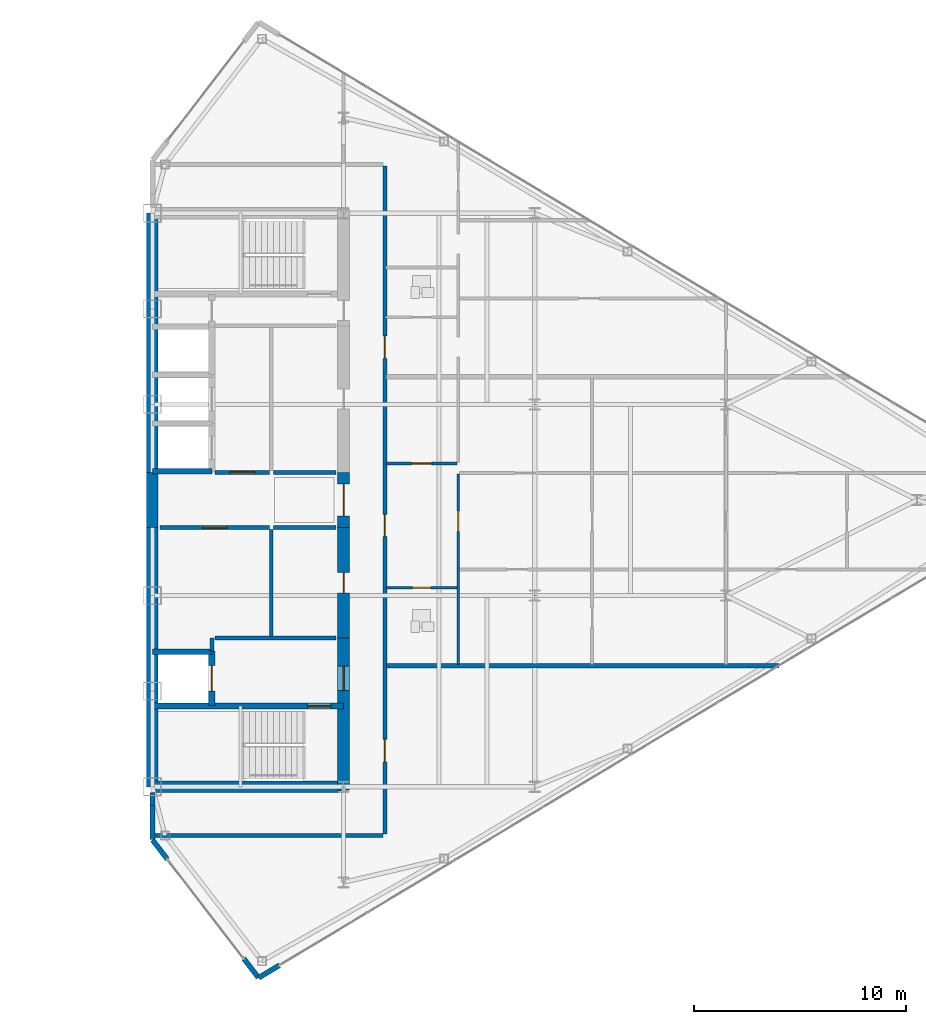
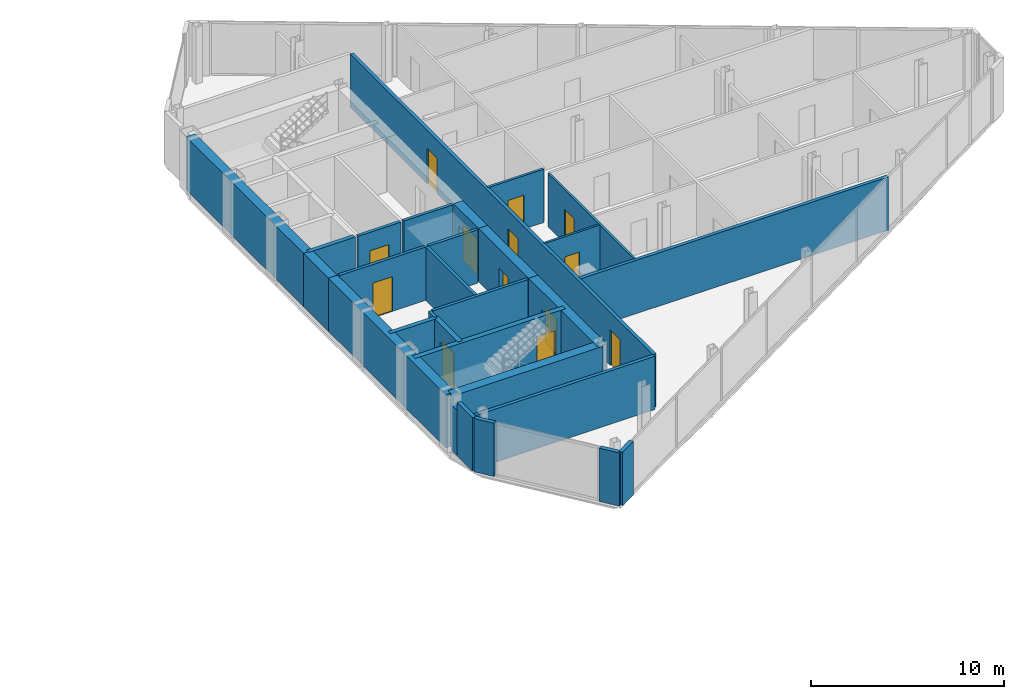
# One storey, part 21 of 26: 29 walls, 13 doors, 13 openings.
"""IFC4 building model written with IfcOpenShell, lengths in metres."""

from ifc_helpers import new_model, si_unit, direction, frame, frame_2d, origin, place, context, subcontext, project, spatial, rectangle, extrude, source, transform, mapped, material, layer, layer_set, type_object, type_shapes, element, fill, save


model = new_model("IFC4")

# Units and contexts
model_context = context("Model", 3, precision=1e-05, world=origin(), true_north=direction((0.0, 1.0)))
body_context = subcontext(model_context, "Body", "Model", "MODEL_VIEW")
ifc_project = project(units=[si_unit("LENGTHUNIT", "METRE"), si_unit("AREAUNIT", "SQUARE_METRE"), si_unit("VOLUMEUNIT", "CUBIC_METRE"), si_unit("PLANEANGLEUNIT", "RADIAN"), si_unit("MASSUNIT", "GRAM", prefix="KILO")], contexts=[model_context])

# Site, building, storey
site_placement = place(None, origin())
site = spatial("IfcSite", under=ifc_project, at=site_placement, CompositionType="ELEMENT")
building_placement = place(site_placement, origin())
building = spatial("IfcBuilding", under=site, at=building_placement, Name="Seokmaru Belvedere", CompositionType="ELEMENT")
storey_placement = place(building_placement, frame((0.0, 0.0, 199.5)))
storey = spatial("IfcBuildingStorey", under=building, at=storey_placement, Name="L53", CompositionType="ELEMENT", Elevation=199.5)

# Wall, opening, door
ifc_material_1 = material(Name="Fire-Rated Gypsum Shaftwall")
ifc_layer_1 = layer(ifc_material_1, 0.14990234375)
ifc_layer_set_1 = layer_set([ifc_layer_1], Name="Fire-Rated Gypsum Shaftwall")
wall_type_1 = type_object("IfcWallType", Name="Apartment Fire-Acoustic Room Partition 150", PredefinedType="PARTITIONING", material=ifc_layer_set_1)
wall_1_placement = place(storey_placement, frame((38.5, 1.719970703125, 0.0), z_axis=(0.0, 0.0, 1.0), x_axis=(1.0, 0.0, 0.0)))
wall_1 = element("IfcWall", 1, at=wall_1_placement, inside=storey, type_object=wall_type_1, Name="L53 Interior Partition 013", PredefinedType="PARTITIONING", context=body_context, shape_type="SweptSolid", body=[
    extrude(rectangle(XDim=3.35009765625, YDim=0.14990234375, at=frame_2d((1.675048828125, 0.0))), origin(), (0.0, 0.0, 1.0), 3.3798828125),
])
opening_1_placement = place(wall_1_placement, frame((1.199951171875, 0.0, 0.0)))
opening_1 = element("IfcOpeningElement", 2, at=opening_1_placement, cuts=wall_1, Name="Opening D05", PredefinedType="OPENING", context=body_context, shape_type="SweptSolid", body=[
    extrude(rectangle(XDim=0.949951171875, YDim=2.14990234375, at=frame_2d((0.47509765625, 1.074951171875))), frame((0.0, 0.0849609375, 0.0), z_axis=(0.0, -1.0, 0.0), x_axis=(1.0, 0.0, 0.0)), (0.0, 0.0, 1.0), 0.169921875),
])
ifc_material_2 = material(Name="Engineered White Oak Timber", Category="wood")
door_type_1 = type_object("IfcDoorType", Name="Apartment Interior Fire-Rated Oak Door 950x2150", OperationType="NOTDEFINED", PredefinedType="DOOR", material=ifc_material_2)
shared_shape_1 = source(origin(), body_context, "Body", "SweptSolid", [
    extrude(rectangle(XDim=0.949951171875, YDim=2.14990234375, at=frame_2d((0.47509765625, 1.074951171875))), frame((0.0, 0.02490234375, 0.0), z_axis=(0.0, -1.0, 0.0), x_axis=(1.0, 0.0, 0.0)), (0.0, 0.0, 1.0), 0.050048828125),
])
type_shapes(door_type_1, [shared_shape_1])
door_1_placement = place(opening_1_placement, origin())
door_1 = element("IfcDoor", 3, at=door_1_placement, inside=storey, type_object=door_type_1, Name="L53 Interior Door 021", OperationType="SINGLE_SWING_RIGHT", OverallHeight=2.14990234375, OverallWidth=0.949951171875, PredefinedType="DOOR", context=body_context, shape_type="MappedRepresentation", body=[
    mapped(shared_shape_1, transform((0.0, 0.0, 0.0), scale=1.0)),
])
fill(opening_1, door_1)

# Walls
ifc_layer_2 = layer(ifc_material_1, 0.179931640625)
ifc_layer_set_2 = layer_set([ifc_layer_2], Name="Fire-Rated Gypsum Shaftwall")
wall_type_2 = type_object("IfcWallType", Name="Core Service Fire Partition 180", PredefinedType="PARTITIONING", material=ifc_layer_set_2)
wall_2_placement = place(storey_placement, frame((30.449951171875, -6.5, 0.0), z_axis=(0.0, 0.0, 1.0), x_axis=(1.0, 0.0, 0.0)))
element("IfcWall", 4, at=wall_2_placement, inside=storey, type_object=wall_type_2, Name="L53 East Firefighting Lobby Partition", PredefinedType="PARTITIONING", context=body_context, shape_type="SweptSolid", body=[
    extrude(rectangle(XDim=5.699951171875, YDim=0.179931640625, at=frame_2d((2.85009765625, 0.0))), origin(), (0.0, 0.0, 1.0), 3.3798828125),
])
wall_3_placement = place(storey_placement, frame((30.300048828125, -7.1201171875, 0.0), z_axis=(0.0, 0.0, 1.0), x_axis=(0.0, 1.0, 0.0)))
element("IfcWall", 5, at=wall_3_placement, inside=storey, type_object=wall_type_2, Name="L53 East Firefighting Lobby East Closure Wall", PredefinedType="PARTITIONING", context=body_context, shape_type="SweptSolid", body=[
    extrude(rectangle(XDim=0.6201171875, YDim=0.179931640625, at=frame_2d((0.31005859375, 0.0))), origin(), (0.0, 0.0, 1.0), 3.3798828125),
])
wall_4_placement = place(storey_placement, frame((33.10009765625, -6.419921875, 0.0), z_axis=(0.0, 0.0, 1.0), x_axis=(0.0, 1.0, 0.0)))
element("IfcWall", 6, at=wall_4_placement, inside=storey, type_object=wall_type_2, Name="L53 East South Core Service Back Wall", PredefinedType="PARTITIONING", context=body_context, shape_type="SweptSolid", body=[
    extrude(rectangle(XDim=5.0400390625, YDim=0.179931640625, at=frame_2d((2.52001953125, 0.0))), origin(), (0.0, 0.0, 1.0), 3.3798828125),
])

# Wall, opening, door
wall_5_placement = place(storey_placement, frame((27.85009765625, -1.300048828125, 0.0), z_axis=(0.0, 0.0, 1.0), x_axis=(1.0, 0.0, 0.0)))
wall_5 = element("IfcWall", 7, at=wall_5_placement, inside=storey, type_object=wall_type_2, Name="L53 East South Lift Lobby Foyer Wall", PredefinedType="PARTITIONING", context=body_context, shape_type="SweptSolid", body=[
    extrude(rectangle(XDim=5.169921875, YDim=0.179931640625, at=frame_2d((2.5849609375, 0.0))), origin(), (0.0, 0.0, 1.0), 3.3798828125),
])
opening_2_placement = place(wall_5_placement, frame((2.010009765625, 0.0, 0.0)))
opening_2 = element("IfcOpeningElement", 8, at=opening_2_placement, cuts=wall_5, Name="Opening D02", PredefinedType="OPENING", context=body_context, shape_type="SweptSolid", body=[
    extrude(rectangle(XDim=1.14990234375, YDim=2.199951171875, at=frame_2d((0.574951171875, 1.10009765625))), frame((0.0, 0.10009765625, 0.0), z_axis=(0.0, -1.0, 0.0), x_axis=(1.0, 0.0, 0.0)), (0.0, 0.0, 1.0), 0.199951171875),
])
ifc_material_3 = material(Name="Fire-Rated Steel Leaf", Category="steel")
door_type_2 = type_object("IfcDoorType", Name="Lobby and Vestibule Fire Door 1150x2200", OperationType="NOTDEFINED", PredefinedType="DOOR", material=ifc_material_3)
shared_shape_2 = source(origin(), body_context, "Body", "SweptSolid", [
    extrude(rectangle(XDim=1.14990234375, YDim=2.199951171875, at=frame_2d((0.574951171875, 1.10009765625))), frame((0.0, 0.02490234375, 0.0), z_axis=(0.0, -1.0, 0.0), x_axis=(1.0, 0.0, 0.0)), (0.0, 0.0, 1.0), 0.050048828125),
])
type_shapes(door_type_2, [shared_shape_2])
door_2_placement = place(opening_2_placement, origin())
door_2 = element("IfcDoor", 9, at=door_2_placement, inside=storey, type_object=door_type_2, Name="L53 East South Core Foyer Door", OperationType="SINGLE_SWING_RIGHT", OverallHeight=2.199951171875, OverallWidth=1.14990234375, PredefinedType="DOOR", context=body_context, shape_type="MappedRepresentation", body=[
    mapped(shared_shape_2, transform((0.0, 0.0, 0.0), scale=1.0)),
])
fill(opening_2, door_2)

wall_6_placement = place(storey_placement, frame((30.449951171875, 1.300048828125, 0.0), z_axis=(0.0, 0.0, 1.0), x_axis=(1.0, 0.0, 0.0)))
wall_6 = element("IfcWall", 10, at=wall_6_placement, inside=storey, type_object=wall_type_2, Name="L53 East North Lift Lobby Foyer Wall", PredefinedType="PARTITIONING", context=body_context, shape_type="SweptSolid", body=[
    extrude(rectangle(XDim=2.570068359375, YDim=0.179931640625, at=frame_2d((1.28515625, 0.0))), origin(), (0.0, 0.0, 1.0), 3.3798828125),
])
opening_3_placement = place(wall_6_placement, frame((0.7099609375, 0.0, 0.0)))
opening_3 = element("IfcOpeningElement", 11, at=opening_3_placement, cuts=wall_6, Name="Opening D02", PredefinedType="OPENING", context=body_context, shape_type="SweptSolid", body=[
    extrude(rectangle(XDim=1.14990234375, YDim=2.199951171875, at=frame_2d((0.574951171875, 1.10009765625))), frame((0.0, 0.10009765625, 0.0), z_axis=(0.0, -1.0, 0.0), x_axis=(1.0, 0.0, 0.0)), (0.0, 0.0, 1.0), 0.199951171875),
])
door_3_placement = place(opening_3_placement, origin())
door_3 = element("IfcDoor", 12, at=door_3_placement, inside=storey, type_object=door_type_2, Name="L53 East North Lift Lobby Door", OperationType="SINGLE_SWING_LEFT", OverallHeight=2.199951171875, OverallWidth=1.14990234375, PredefinedType="DOOR", context=body_context, shape_type="MappedRepresentation", body=[
    mapped(shared_shape_2, transform((0.0, 0.0, 0.0), scale=1.0)),
])
fill(opening_3, door_3)

# Walls
for number, where, z_axis, x_axis, name in (
    (13, (33.199951171875, -1.300048828125, 0.0), (0.0, 0.0, 1.0), (1.0, 0.0, 0.0), "L53 East Foyer Side Wall S"),
    (14, (33.199951171875, 1.300048828125, 0.0), (0.0, 0.0, 1.0), (1.0, 0.0, 0.0), "L53 East Foyer Side Wall N"),
):
    element("IfcWall", number, at=place(storey_placement, frame(where, z_axis=z_axis, x_axis=x_axis)), inside=storey, type_object=wall_type_2, Name=name, PredefinedType="PARTITIONING", context=body_context, shape_type="SweptSolid", body=[
        extrude(rectangle(XDim=2.949951171875, YDim=0.179931640625, at=frame_2d((1.47509765625, 0.0))), origin(), (0.0, 0.0, 1.0), 3.3798828125),
    ])
ifc_material_4 = material(Name="Concrete C50 (50 MPa)", Category="concrete")
ifc_layer_3 = layer(ifc_material_4, 0.25)
ifc_layer_set_3 = layer_set([ifc_layer_3], Name="Concrete C50 (50 MPa)")
wall_type_3 = type_object("IfcWallType", Name="Hoistway Transverse Concrete Divider Wall 250", PredefinedType="SHEAR", material=ifc_layer_set_3)
for number, where, z_axis, x_axis, name in (
    (15, (27.5, -7.14990234375, 0.0), (0.0, 0.0, 1.0), (1.0, 0.0, 0.0), "L53 East Hoistway Divider Core Wall 1"),
    (16, (27.5, 1.35009765625, 0.0), (0.0, 0.0, 1.0), (1.0, 0.0, 0.0), "L53 East Hoistway Divider Core Wall 2"),
):
    element("IfcWall", number, at=place(storey_placement, frame(where, z_axis=z_axis, x_axis=x_axis)), inside=storey, type_object=wall_type_3, Name=name, PredefinedType="SHEAR", context=body_context, shape_type="SweptSolid", body=[
        extrude(rectangle(XDim=2.800048828125, YDim=0.25, at=frame_2d((1.39990234375, 0.0))), origin(), (0.0, 0.0, 1.0), 3.3798828125),
    ])
ifc_layer_4 = layer(ifc_material_1, 0.199951171875)
ifc_layer_set_4 = layer_set([ifc_layer_4], Name="Fire-Rated Gypsum Shaftwall")
wall_type_4 = type_object("IfcWallType", Name="Inter-Tenancy Fire Compartment Partition 200", PredefinedType="PARTITIONING", material=ifc_layer_set_4)
wall_7_placement = place(storey_placement, frame((27.625, -15.800048828125, 0.0), z_axis=(0.0, 0.0, 1.0), x_axis=(1.0, 0.0, 0.0)))
element("IfcWall", 17, at=wall_7_placement, inside=storey, type_object=wall_type_4, Name="L53 Interior Partition 002", PredefinedType="PARTITIONING", context=body_context, shape_type="SweptSolid", body=[
    extrude(rectangle(XDim=10.739990234375, YDim=0.199951171875, at=frame_2d((5.3701171875, 0.0))), origin(), (0.0, 0.0, 1.0), 3.3798828125),
])
wall_8_placement = place(storey_placement, frame((38.530029296875, -7.800048828125, 0.0), z_axis=(0.0, 0.0, 1.0), x_axis=(1.0, 0.0, 0.0)))
element("IfcWall", 18, at=wall_8_placement, inside=storey, type_object=wall_type_4, Name="L53 Interior Partition 006", PredefinedType="PARTITIONING", context=body_context, shape_type="SweptSolid", body=[
    extrude(rectangle(XDim=18.47998046875, YDim=0.199951171875, at=frame_2d((9.239990234375, 0.0))), origin(), (0.0, 0.0, 1.0), 3.3798828125),
])

# Wall, openings, doors
wall_9_placement = place(storey_placement, frame((38.449951171875, -15.715087890625, 0.0), z_axis=(0.0, 0.0, 1.0), x_axis=(0.0, 1.0, 0.0)))
wall_9 = element("IfcWall", 19, at=wall_9_placement, inside=storey, type_object=wall_type_4, Name="L53 Interior Partition 032", PredefinedType="PARTITIONING", context=body_context, shape_type="SweptSolid", body=[
    extrude(rectangle(XDim=31.43017578125, YDim=0.199951171875, at=frame_2d((15.715087890625, 0.0))), origin(), (0.0, 0.0, 1.0), 3.3798828125),
])
opening_4_placement = place(wall_9_placement, frame((3.389892578125, 0.0, 0.0)))
opening_4 = element("IfcOpeningElement", 20, at=opening_4_placement, cuts=wall_9, Name="Opening D03", PredefinedType="OPENING", context=body_context, shape_type="SweptSolid", body=[
    extrude(rectangle(XDim=1.050048828125, YDim=2.25, at=frame_2d((0.52490234375, 1.125))), frame((0.0, 0.10986328125, 0.0), z_axis=(0.0, -1.0, 0.0), x_axis=(1.0, 0.0, 0.0)), (0.0, 0.0, 1.0), 0.219970703125),
])
opening_5_placement = place(wall_9_placement, frame((13.986083984375, 0.0, 0.0)))
opening_5 = element("IfcOpeningElement", 21, at=opening_5_placement, cuts=wall_9, Name="Opening D03", PredefinedType="OPENING", context=body_context, shape_type="SweptSolid", body=[
    extrude(rectangle(XDim=1.050048828125, YDim=2.25, at=frame_2d((0.52490234375, 1.125))), frame((0.0, 0.10986328125, 0.0), z_axis=(0.0, -1.0, 0.0), x_axis=(1.0, 0.0, 0.0)), (0.0, 0.0, 1.0), 0.219970703125),
])
opening_6_placement = place(wall_9_placement, frame((22.387451171875, 0.0, 0.0)))
opening_6 = element("IfcOpeningElement", 22, at=opening_6_placement, cuts=wall_9, Name="Opening D03", PredefinedType="OPENING", context=body_context, shape_type="SweptSolid", body=[
    extrude(rectangle(XDim=1.050048828125, YDim=2.25, at=frame_2d((0.52490234375, 1.125))), frame((0.0, 0.10986328125, 0.0), z_axis=(0.0, -1.0, 0.0), x_axis=(1.0, 0.0, 0.0)), (0.0, 0.0, 1.0), 0.219970703125),
])
door_type_3 = type_object("IfcDoorType", Name="Apartment Entrance Fire Door 1050x2250", OperationType="NOTDEFINED", PredefinedType="DOOR", material=ifc_material_3)
shared_shape_3 = source(origin(), body_context, "Body", "SweptSolid", [
    extrude(rectangle(XDim=1.050048828125, YDim=2.25, at=frame_2d((0.52490234375, 1.125))), frame((0.0, 0.02490234375, 0.0), z_axis=(0.0, -1.0, 0.0), x_axis=(1.0, 0.0, 0.0)), (0.0, 0.0, 1.0), 0.050048828125),
])
type_shapes(door_type_3, [shared_shape_3])
door_4_placement = place(opening_4_placement, origin())
door_4 = element("IfcDoor", 23, at=door_4_placement, inside=storey, type_object=door_type_3, Name="L53 Interior Door 018", OperationType="SINGLE_SWING_LEFT", OverallHeight=2.25, OverallWidth=1.050048828125, PredefinedType="DOOR", context=body_context, shape_type="MappedRepresentation", body=[
    mapped(shared_shape_3, transform((0.0, 0.0, 0.0), scale=1.0)),
])
fill(opening_4, door_4)
door_5_placement = place(opening_5_placement, origin())
door_5 = element("IfcDoor", 24, at=door_5_placement, inside=storey, type_object=door_type_3, Name="L53 Interior Door 019", OperationType="SINGLE_SWING_RIGHT", OverallHeight=2.25, OverallWidth=1.050048828125, PredefinedType="DOOR", context=body_context, shape_type="MappedRepresentation", body=[
    mapped(shared_shape_3, transform((0.0, 0.0, 0.0), scale=1.0)),
])
fill(opening_5, door_5)
door_6_placement = place(opening_6_placement, origin())
door_6 = element("IfcDoor", 25, at=door_6_placement, inside=storey, type_object=door_type_3, Name="L53 Interior Door 032", OperationType="SINGLE_SWING_LEFT", OverallHeight=2.25, OverallWidth=1.050048828125, PredefinedType="DOOR", context=body_context, shape_type="MappedRepresentation", body=[
    mapped(shared_shape_3, transform((0.0, 0.0, 0.0), scale=1.0)),
])
fill(opening_6, door_6)

# Wall, opening, door
ifc_layer_5 = layer(ifc_material_4, 0.300048828125)
ifc_layer_set_5 = layer_set([ifc_layer_5], Name="Concrete C50 (50 MPa)")
wall_type_5 = type_object("IfcWallType", Name="Internal Core Stair and Hoistway Wall 300", PredefinedType="SHEAR", material=ifc_layer_set_5)
wall_10_placement = place(storey_placement, frame((27.5, -9.699951171875, 0.0), z_axis=(0.0, 0.0, 1.0), x_axis=(1.0, 0.0, 0.0)))
wall_10 = element("IfcWall", 26, at=wall_10_placement, inside=storey, type_object=wall_type_5, Name="L53 East Stair ST-1 Enclosure Wall", PredefinedType="SHEAR", context=body_context, shape_type="SweptSolid", body=[
    extrude(rectangle(XDim=9.0, YDim=0.300048828125, at=frame_2d((4.5, 0.0))), origin(), (0.0, 0.0, 1.0), 3.3798828125),
])
opening_7_placement = place(wall_10_placement, frame((7.300048828125, 0.0, 0.0)))
opening_7 = element("IfcOpeningElement", 27, at=opening_7_placement, cuts=wall_10, Name="Opening D01", PredefinedType="OPENING", context=body_context, shape_type="SweptSolid", body=[
    extrude(rectangle(XDim=1.10009765625, YDim=2.199951171875, at=frame_2d((0.550048828125, 1.10009765625))), frame((0.0, 0.16015625, 0.0), z_axis=(0.0, -1.0, 0.0), x_axis=(1.0, 0.0, 0.0)), (0.0, 0.0, 1.0), 0.320068359375),
])
door_type_4 = type_object("IfcDoorType", Name="Special Escape Stair Smokeproof Fire Door 1100x2200", OperationType="NOTDEFINED", PredefinedType="DOOR", material=ifc_material_3)
shared_shape_4 = source(origin(), body_context, "Body", "SweptSolid", [
    extrude(rectangle(XDim=1.10009765625, YDim=2.199951171875, at=frame_2d((0.550048828125, 1.10009765625))), frame((0.0, 0.02490234375, 0.0), z_axis=(0.0, -1.0, 0.0), x_axis=(1.0, 0.0, 0.0)), (0.0, 0.0, 1.0), 0.050048828125),
])
type_shapes(door_type_4, [shared_shape_4])
door_7_placement = place(opening_7_placement, frame((1.10009765625, 0.0, 0.0), z_axis=(0.0, 0.0, 1.0), x_axis=(-1.0, 0.0, 0.0)))
door_7 = element("IfcDoor", 28, at=door_7_placement, inside=storey, type_object=door_type_4, Name="L53 East Special Escape Stair ST-1 Door", OperationType="SINGLE_SWING_RIGHT", OverallHeight=2.199951171875, OverallWidth=1.10009765625, PredefinedType="DOOR", context=body_context, shape_type="MappedRepresentation", body=[
    mapped(shared_shape_4, transform((0.0, 0.0, 0.0), scale=1.0)),
])
fill(opening_7, door_7)

wall_11_placement = place(storey_placement, frame((30.300048828125, -9.679931640625, 0.0), z_axis=(0.0, 0.0, 1.0), x_axis=(0.0, 1.0, 0.0)))
wall_11 = element("IfcWall", 29, at=wall_11_placement, inside=storey, type_object=wall_type_5, Name="L53 East Firefighting Lift Shaft Front Wall", PredefinedType="SHEAR", context=body_context, shape_type="SweptSolid", body=[
    extrude(rectangle(XDim=2.559814453125, YDim=0.300048828125, at=frame_2d((1.27978515625, 0.0))), origin(), (0.0, 0.0, 1.0), 3.3798828125),
])
opening_8_placement = place(wall_11_placement, frame((0.679931640625, 0.0, 0.0)))
opening_8 = element("IfcOpeningElement", 30, at=opening_8_placement, cuts=wall_11, Name="Opening LD2", PredefinedType="OPENING", context=body_context, shape_type="SweptSolid", body=[
    extrude(rectangle(XDim=1.199951171875, YDim=2.25, at=frame_2d((0.60009765625, 1.125))), frame((0.0, 0.16015625, 0.0), z_axis=(0.0, -1.0, 0.0), x_axis=(1.0, 0.0, 0.0)), (0.0, 0.0, 1.0), 0.320068359375),
])
ifc_material_5 = material(Name="Stainless Steel 316", Category="steel")
door_type_5 = type_object("IfcDoorType", Name="Firefighting Lift Sliding Landing Door 1200x2250", OperationType="DOUBLE_DOOR_SLIDING", PredefinedType="DOOR", material=ifc_material_5)
shared_shape_5 = source(origin(), body_context, "Body", "SweptSolid", [
    extrude(rectangle(XDim=1.199951171875, YDim=2.25, at=frame_2d((0.60009765625, 1.125))), frame((0.0, 0.02490234375, 0.0), z_axis=(0.0, -1.0, 0.0), x_axis=(1.0, 0.0, 0.0)), (0.0, 0.0, 1.0), 0.050048828125),
])
type_shapes(door_type_5, [shared_shape_5])
door_8_placement = place(opening_8_placement, origin())
door_8 = element("IfcDoor", 31, at=door_8_placement, inside=storey, type_object=door_type_5, Name="L53 East Firefighting Lift Landing Door", OperationType="DOUBLE_DOOR_SLIDING", OverallHeight=2.25, OverallWidth=1.199951171875, PredefinedType="DOOR", context=body_context, shape_type="MappedRepresentation", body=[
    mapped(shared_shape_5, transform((0.0, 0.0, 0.0), scale=1.0)),
])
fill(opening_8, door_8)

# Walls
ifc_layer_6 = layer(ifc_material_4, 0.550048828125)
ifc_layer_set_6 = layer_set([ifc_layer_6], Name="Concrete C50 (50 MPa)")
wall_type_6 = type_object("IfcWallType", Name="Mid-High Reinforced Concrete Core Wall 550", PredefinedType="SHEAR", material=ifc_layer_set_6)
for number, where, z_axis, x_axis, name in (
    (32, (27.5, -13.5, 0.0), (0.0, 0.0, 1.0), (0.0, 1.0, 0.0), "L53 East Portal Spine Core Wall South"),
    (33, (27.5, 1.300048828125, 0.0), (0.0, 0.0, 1.0), (0.0, 1.0, 0.0), "L53 East Portal Spine Core Wall North"),
):
    element("IfcWall", number, at=place(storey_placement, frame(where, z_axis=z_axis, x_axis=x_axis)), inside=storey, type_object=wall_type_6, Name=name, PredefinedType="SHEAR", context=body_context, shape_type="SweptSolid", body=[
        extrude(rectangle(XDim=12.199951171875, YDim=0.550048828125, at=frame_2d((6.10009765625, 0.0))), origin(), (0.0, 0.0, 1.0), 3.3798828125),
    ])
wall_12_placement = place(storey_placement, frame((27.5, -1.300048828125, 0.0), z_axis=(0.0, 0.0, 1.0), x_axis=(0.0, 1.0, 0.0)))
element("IfcWall", 34, at=wall_12_placement, inside=storey, type_object=wall_type_6, Name="L53 East Portal Spine Core Wall Center", PredefinedType="SHEAR", context=body_context, shape_type="SweptSolid", body=[
    extrude(rectangle(XDim=2.60009765625, YDim=0.550048828125, at=frame_2d((1.300048828125, 0.0))), origin(), (0.0, 0.0, 1.0), 3.3798828125),
])
wall_13_placement = place(storey_placement, frame((27.5, -13.5, 0.0), z_axis=(0.0, 0.0, 1.0), x_axis=(1.0, 0.0, 0.0)))
element("IfcWall", 35, at=wall_13_placement, inside=storey, type_object=wall_type_6, Name="L53 East South Core Wall", PredefinedType="SHEAR", context=body_context, shape_type="SweptSolid", body=[
    extrude(rectangle(XDim=9.0, YDim=0.550048828125, at=frame_2d((4.5, 0.0))), origin(), (0.0, 0.0, 1.0), 3.3798828125),
])

# Wall, opening, door
wall_14_placement = place(storey_placement, frame((36.5, -13.64990234375, 0.0), z_axis=(0.0, 0.0, 1.0), x_axis=(0.0, 1.0, 0.0)))
wall_14 = element("IfcWall", 36, at=wall_14_placement, inside=storey, type_object=wall_type_6, Name="L53 East West Core Wall FF", PredefinedType="SHEAR", context=body_context, shape_type="SweptSolid", body=[
    extrude(rectangle(XDim=7.14990234375, YDim=0.550048828125, at=frame_2d((3.574951171875, 0.0))), origin(), (0.0, 0.0, 1.0), 3.3798828125),
])
opening_9_placement = place(wall_14_placement, frame((4.675048828125, 0.0, 0.0)))
opening_9 = element("IfcOpeningElement", 37, at=opening_9_placement, cuts=wall_14, Name="Opening D02", PredefinedType="OPENING", context=body_context, shape_type="SweptSolid", body=[
    extrude(rectangle(XDim=1.14990234375, YDim=2.199951171875, at=frame_2d((0.574951171875, 1.10009765625))), frame((0.0, 0.28515625, 0.0), z_axis=(0.0, -1.0, 0.0), x_axis=(1.0, 0.0, 0.0)), (0.0, 0.0, 1.0), 0.570068359375),
])
door_9_placement = place(opening_9_placement, origin())
door_9 = element("IfcDoor", 38, at=door_9_placement, inside=storey, type_object=door_type_2, Name="L53 East Firefighting Lobby Door", OperationType="SINGLE_SWING_RIGHT", OverallHeight=2.199951171875, OverallWidth=1.14990234375, PredefinedType="DOOR", context=body_context, shape_type="MappedRepresentation", body=[
    mapped(shared_shape_2, transform((0.0, 0.0, 0.0), scale=1.0)),
])
fill(opening_9, door_9)

wall_15_placement = place(storey_placement, frame((36.5, -1.300048828125, 0.0), z_axis=(0.0, 0.0, 1.0), x_axis=(0.0, 1.0, 0.0)))
wall_15 = element("IfcWall", 39, at=wall_15_placement, inside=storey, type_object=wall_type_6, Name="L53 East West Core Wall FOY", PredefinedType="SHEAR", context=body_context, shape_type="SweptSolid", body=[
    extrude(rectangle(XDim=2.60009765625, YDim=0.550048828125, at=frame_2d((1.300048828125, 0.0))), origin(), (0.0, 0.0, 1.0), 3.3798828125),
])
opening_10_placement = place(wall_15_placement, frame((0.550048828125, 0.0, 0.0)))
opening_10 = element("IfcOpeningElement", 40, at=opening_10_placement, cuts=wall_15, Name="Opening D08", PredefinedType="OPENING", context=body_context, shape_type="SweptSolid", body=[
    extrude(rectangle(XDim=1.5, YDim=2.300048828125, at=frame_2d((0.75, 1.14990234375))), frame((0.0, 0.28515625, 0.0), z_axis=(0.0, -1.0, 0.0), x_axis=(1.0, 0.0, 0.0)), (0.0, 0.0, 1.0), 0.570068359375),
])
door_type_6 = type_object("IfcDoorType", Name="Cross-Corridor Compartment Double Fire Door 1500x2300", OperationType="DOUBLE_SWING_LEFT", PredefinedType="DOOR", material=ifc_material_3)
shared_shape_6 = source(origin(), body_context, "Body", "SweptSolid", [
    extrude(rectangle(XDim=1.5, YDim=2.300048828125, at=frame_2d((0.75, 1.14990234375))), frame((0.0, 0.02490234375, 0.0), z_axis=(0.0, -1.0, 0.0), x_axis=(1.0, 0.0, 0.0)), (0.0, 0.0, 1.0), 0.050048828125),
])
type_shapes(door_type_6, [shared_shape_6])
door_10_placement = place(opening_10_placement, origin())
door_10 = element("IfcDoor", 41, at=door_10_placement, inside=storey, type_object=door_type_6, Name="L53 East Core Foyer Compartment Door", OperationType="DOUBLE_SWING_LEFT", OverallHeight=2.300048828125, OverallWidth=1.5, PredefinedType="DOOR", context=body_context, shape_type="MappedRepresentation", body=[
    mapped(shared_shape_6, transform((0.0, 0.0, 0.0), scale=1.0)),
])
fill(opening_10, door_10)

wall_16_placement = place(storey_placement, frame((36.5, -6.5, 0.0), z_axis=(0.0, 0.0, 1.0), x_axis=(0.0, 1.0, 0.0)))
wall_16 = element("IfcWall", 42, at=wall_16_placement, inside=storey, type_object=wall_type_6, Name="L53 East West Core Wall CS1", PredefinedType="SHEAR", context=body_context, shape_type="SweptSolid", body=[
    extrude(rectangle(XDim=5.199951171875, YDim=0.550048828125, at=frame_2d((2.60009765625, 0.0))), origin(), (0.0, 0.0, 1.0), 3.3798828125),
])
opening_11_placement = place(wall_16_placement, frame((2.125, 0.0, 0.0)))
opening_11 = element("IfcOpeningElement", 43, at=opening_11_placement, cuts=wall_16, Name="Opening D04", PredefinedType="OPENING", context=body_context, shape_type="SweptSolid", body=[
    extrude(rectangle(XDim=0.949951171875, YDim=2.14990234375, at=frame_2d((0.47509765625, 1.074951171875))), frame((0.0, 0.28515625, 0.0), z_axis=(0.0, -1.0, 0.0), x_axis=(1.0, 0.0, 0.0)), (0.0, 0.0, 1.0), 0.570068359375),
])
door_type_7 = type_object("IfcDoorType", Name="Core Service Room Fire Door 950x2150", OperationType="NOTDEFINED", PredefinedType="DOOR", material=ifc_material_3)
shared_shape_7 = source(origin(), body_context, "Body", "SweptSolid", [
    extrude(rectangle(XDim=0.949951171875, YDim=2.14990234375, at=frame_2d((0.47509765625, 1.074951171875))), frame((0.0, 0.02490234375, 0.0), z_axis=(0.0, -1.0, 0.0), x_axis=(1.0, 0.0, 0.0)), (0.0, 0.0, 1.0), 0.050048828125),
])
type_shapes(door_type_7, [shared_shape_7])
door_11_placement = place(opening_11_placement, origin())
door_11 = element("IfcDoor", 44, at=door_11_placement, inside=storey, type_object=door_type_7, Name="L53 East Core Service Room Door 1", OperationType="SINGLE_SWING_RIGHT", OverallHeight=2.14990234375, OverallWidth=0.949951171875, PredefinedType="DOOR", context=body_context, shape_type="MappedRepresentation", body=[
    mapped(shared_shape_7, transform((0.0, 0.0, 0.0), scale=1.0)),
])
fill(opening_11, door_11)

ifc_layer_7 = layer(ifc_material_1, 0.1298828125)
ifc_layer_set_7 = layer_set([ifc_layer_7], Name="Fire-Rated Gypsum Shaftwall")
wall_type_7 = type_object("IfcWallType", Name="Moisture-Resistant Fire-Rated Bathroom Partition 130", PredefinedType="PARTITIONING", material=ifc_layer_set_7)
wall_17_placement = place(storey_placement, frame((38.5, -4.1298828125, 0.0), z_axis=(0.0, 0.0, 1.0), x_axis=(1.0, 0.0, 0.0)))
wall_17 = element("IfcWall", 45, at=wall_17_placement, inside=storey, type_object=wall_type_7, Name="L53 Interior Partition 008", PredefinedType="PARTITIONING", context=body_context, shape_type="SweptSolid", body=[
    extrude(rectangle(XDim=3.35009765625, YDim=0.1298828125, at=frame_2d((1.675048828125, 0.0))), origin(), (0.0, 0.0, 1.0), 3.3798828125),
])
opening_12_placement = place(wall_17_placement, frame((1.235107421875, 0.0, 0.0)))
opening_12 = element("IfcOpeningElement", 46, at=opening_12_placement, cuts=wall_17, Name="Opening D06", PredefinedType="OPENING", context=body_context, shape_type="SweptSolid", body=[
    extrude(rectangle(XDim=0.8798828125, YDim=2.10009765625, at=frame_2d((0.43994140625, 1.050048828125))), frame((0.0, 0.074951171875, 0.0), z_axis=(0.0, -1.0, 0.0), x_axis=(1.0, 0.0, 0.0)), (0.0, 0.0, 1.0), 0.14990234375),
])
door_type_8 = type_object("IfcDoorType", Name="Bathroom and Restroom Fire-Rated Door 880x2100", OperationType="NOTDEFINED", PredefinedType="DOOR", material=ifc_material_2)
shared_shape_8 = source(origin(), body_context, "Body", "SweptSolid", [
    extrude(rectangle(XDim=0.8798828125, YDim=2.10009765625, at=frame_2d((0.43994140625, 1.050048828125))), frame((0.0, 0.02490234375, 0.0), z_axis=(0.0, -1.0, 0.0), x_axis=(1.0, 0.0, 0.0)), (0.0, 0.0, 1.0), 0.050048828125),
])
type_shapes(door_type_8, [shared_shape_8])
door_12_placement = place(opening_12_placement, origin())
door_12 = element("IfcDoor", 47, at=door_12_placement, inside=storey, type_object=door_type_8, Name="L53 Interior Door 020", OperationType="SINGLE_SWING_RIGHT", OverallHeight=2.10009765625, OverallWidth=0.8798828125, PredefinedType="DOOR", context=body_context, shape_type="MappedRepresentation", body=[
    mapped(shared_shape_8, transform((0.0, 0.0, 0.0), scale=1.0)),
])
fill(opening_12, door_12)

wall_18_placement = place(storey_placement, frame((41.89990234375, -7.75, 0.0), z_axis=(0.0, 0.0, 1.0), x_axis=(0.0, 1.0, 0.0)))
wall_18 = element("IfcWall", 48, at=wall_18_placement, inside=storey, type_object=wall_type_7, Name="L53 Interior Partition 033", PredefinedType="PARTITIONING", context=body_context, shape_type="SweptSolid", body=[
    extrude(rectangle(XDim=8.967041015625, YDim=0.1298828125, at=frame_2d((4.4833984375, 0.0))), origin(), (0.0, 0.0, 1.0), 3.3798828125),
])
opening_13_placement = place(wall_18_placement, frame((6.27490234375, 0.0, 0.0)))
opening_13 = element("IfcOpeningElement", 49, at=opening_13_placement, cuts=wall_18, Name="Opening D05", PredefinedType="OPENING", context=body_context, shape_type="SweptSolid", body=[
    extrude(rectangle(XDim=0.949951171875, YDim=2.14990234375, at=frame_2d((0.47509765625, 1.074951171875))), frame((0.0, 0.074951171875, 0.0), z_axis=(0.0, -1.0, 0.0), x_axis=(1.0, 0.0, 0.0)), (0.0, 0.0, 1.0), 0.14990234375),
])
door_13_placement = place(opening_13_placement, origin())
door_13 = element("IfcDoor", 50, at=door_13_placement, inside=storey, type_object=door_type_1, Name="L53 Interior Door 022", OperationType="SINGLE_SWING_LEFT", OverallHeight=2.14990234375, OverallWidth=0.949951171875, PredefinedType="DOOR", context=body_context, shape_type="MappedRepresentation", body=[
    mapped(shared_shape_1, transform((0.0, 0.0, 0.0), scale=1.0)),
])
fill(opening_13, door_13)

# Walls
ifc_material_6 = material(Name="Anodised Bronze Aluminium", Category="aluminium")
ifc_layer_8 = layer(ifc_material_6, 0.239990234375)
ifc_layer_set_8 = layer_set([ifc_layer_8], Name="Anodised Bronze Aluminium")
wall_type_8 = type_object("IfcWallType", Name="Tower Corner Spandrel Closure Wall 240", PredefinedType="SOLIDWALL", material=ifc_layer_set_8)
wall_19_placement = place(storey_placement, frame((32.508544921875, -22.494873046875, 0.0), z_axis=(0.0, 0.0, 1.0), x_axis=(0.85743623509, 0.514590228002, 0.0)))
element("IfcWall", 51, at=wall_19_placement, inside=storey, type_object=wall_type_8, Name="L53 E Corner Closure Pier 1A", PredefinedType="SOLIDWALL", context=body_context, shape_type="SweptSolid", body=[
    extrude(rectangle(XDim=1.14013671875, YDim=0.239990234375, at=frame_2d((0.570068359375, 0.0))), origin(), (0.0, 0.0, 1.0), 3.3798828125),
])
wall_20_placement = place(storey_placement, frame((27.5, -15.97998046875, 0.0), z_axis=(0.0, 0.0, 1.0), x_axis=(0.0, 1.0, 0.0)))
element("IfcWall", 52, at=wall_20_placement, inside=storey, type_object=wall_type_8, Name="L53 E Shoulder Closure Wall 1", PredefinedType="SOLIDWALL", context=body_context, shape_type="SweptSolid", body=[
    extrude(rectangle(XDim=1.60009765625, YDim=0.239990234375, at=frame_2d((0.800048828125, 0.0))), origin(), (0.0, 0.0, 1.0), 3.3798828125),
])
wall_21_placement = place(storey_placement, frame((27.5, -14.3798828125, 0.0), z_axis=(0.0, 0.0, 1.0), x_axis=(0.0, 1.0, 0.0)))
element("IfcWall", 53, at=wall_21_placement, inside=storey, type_object=wall_type_8, Name="L53 E Shoulder Closure Wall 1 Part 2", PredefinedType="SOLIDWALL", context=body_context, shape_type="SweptSolid", body=[
    extrude(rectangle(XDim=0.599853515625, YDim=0.239990234375, at=frame_2d((0.2998046875, 0.0))), origin(), (0.0, 0.0, 1.0), 2.8798828125),
])
for number, where, z_axis, x_axis, name in (
    (54, (27.506103515625, -16.0078125, 0.0), (0.0, 0.0, 1.0), (0.609617623633, -0.792695624408, 0.0), "L53 E Corner Closure Pier 6A"),
    (55, (31.798828125, -21.58837890625, 0.0), (0.0, 0.0, 1.0), (0.609617623633, -0.792695624408, 0.0), "L53 E Corner Closure Pier 6B"),
):
    element("IfcWall", number, at=place(storey_placement, frame(where, z_axis=z_axis, x_axis=x_axis)), inside=storey, type_object=wall_type_8, Name=name, PredefinedType="SOLIDWALL", context=body_context, shape_type="SweptSolid", body=[
        extrude(rectangle(XDim=1.14013671875, YDim=0.239990234375, at=frame_2d((0.570068359375, 0.0))), origin(), (0.0, 0.0, 1.0), 3.3798828125),
    ])

save(model, "model.ifc")
